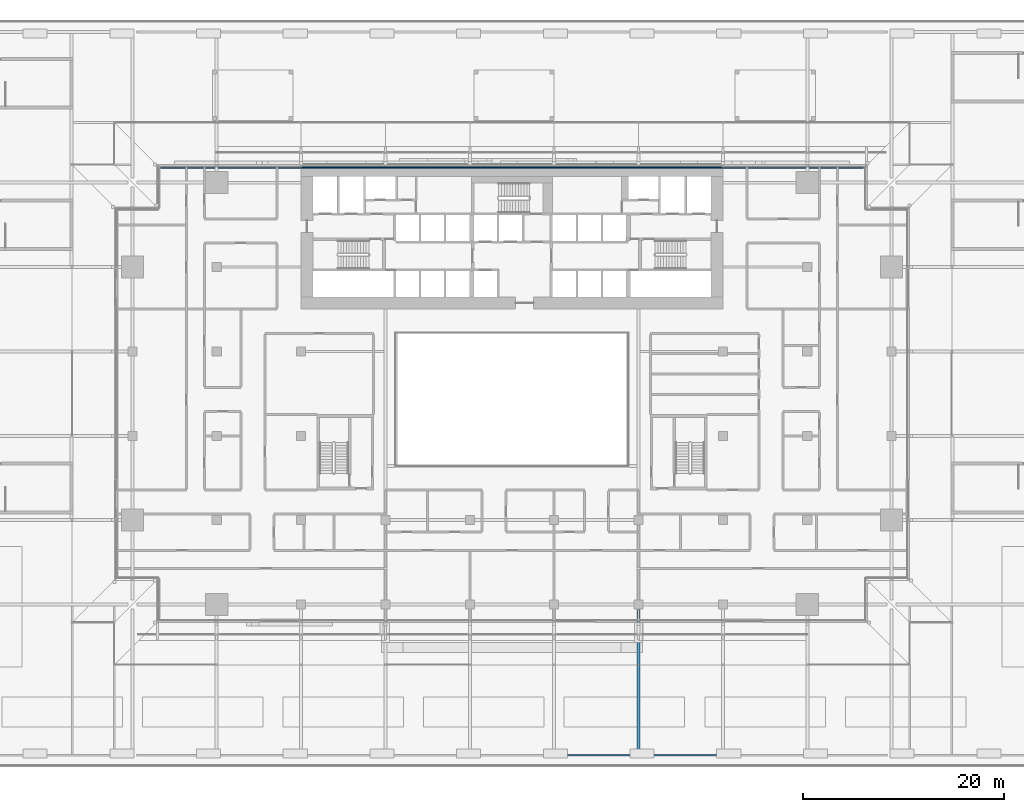
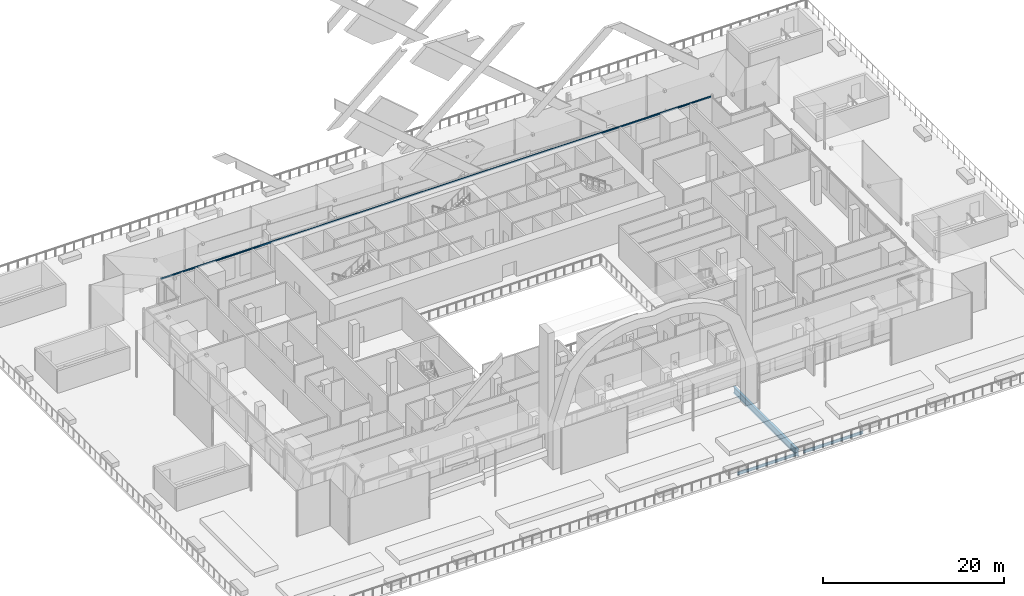
# One storey, part 9 of 60: 3 beams, 1 member, 1 element without a shape of its own.
"""IFC4 building model written with IfcOpenShell, lengths in metres."""

from ifc_helpers import new_model, si_unit, direction, frame, origin, origin_2d, place, context, subcontext, project, spatial, rectangle, i_section, extrude, material, material_profile, profile_set, type_object, element, aggregate, save


model = new_model("IFC4")

# Units and contexts
model_context = context("Model", 3, precision=1e-05, world=origin(), true_north=direction((0.0, 1.0)))
body_context = subcontext(model_context, "Body", "Model", "MODEL_VIEW")
ifc_project = project(units=[si_unit("LENGTHUNIT", "METRE"), si_unit("AREAUNIT", "SQUARE_METRE"), si_unit("VOLUMEUNIT", "CUBIC_METRE"), si_unit("PLANEANGLEUNIT", "RADIAN"), si_unit("MASSUNIT", "GRAM", prefix="KILO")], contexts=[model_context])

# Site, building, storey
site_placement = place(None, origin())
site = spatial("IfcSite", under=ifc_project, at=site_placement, CompositionType="ELEMENT")
building_placement = place(site_placement, origin())
building = spatial("IfcBuilding", under=site, at=building_placement, Name="Saffron Gate Tower", CompositionType="ELEMENT")
storey_placement = place(building_placement, frame((0.0, 0.0, 19.199951171875)))
storey = spatial("IfcBuildingStorey", under=building, at=storey_placement, Name="L03", CompositionType="ELEMENT", Elevation=19.199951171875)

# Beams
ifc_material_1 = material(Name="Structural steel S355", Category="steel")
ifc_material_profile_1 = material_profile(ifc_material_1, i_section(OverallWidth=0.169921875, OverallDepth=0.360107421875, WebThickness=0.008056640625, FlangeThickness=0.0126953125, FilletRadius=0.01806640625, at=origin_2d()))
ifc_profile_set_1 = profile_set([ifc_material_profile_1], Name="Structural steel S355")
beam_type_1 = type_object("IfcBeamType", Name="B1 IPE 360", PredefinedType="BEAM", material=ifc_profile_set_1)
beam_1_placement = place(storey_placement, frame((92.199951171875, 16.800048828125, -0.47998046875), z_axis=(1.0, 0.0, 0.0), x_axis=(0.0, 1.0, 0.0)))
element("IfcBeam", 1, at=beam_1_placement, inside=storey, type_object=beam_type_1, Name="B1 PODIUM EDGE BEAM", PredefinedType="BEAM", context=body_context, shape_type="SweptSolid", body=[
    extrude(i_section(OverallWidth=0.169921875, OverallDepth=0.360107421875, WebThickness=0.008056640625, FlangeThickness=0.0126953125, FilletRadius=0.01806640625, at=origin_2d()), origin(), (0.0, 0.0, 1.0), 7.60009765625),
])
beam_2_placement = place(storey_placement, frame((100.60009765625, 16.800048828125, -0.47998046875), z_axis=(1.0, 0.0, 0.0), x_axis=(0.0, 1.0, 0.0)))
element("IfcBeam", 2, at=beam_2_placement, inside=storey, type_object=beam_type_1, Name="B1 PODIUM EDGE BEAM", PredefinedType="BEAM", context=body_context, shape_type="SweptSolid", body=[
    extrude(i_section(OverallWidth=0.169921875, OverallDepth=0.360107421875, WebThickness=0.008056640625, FlangeThickness=0.0126953125, FilletRadius=0.01806640625, at=origin_2d()), origin(), (0.0, 0.0, 1.0), 7.599853515625),
])
ifc_material_profile_2 = material_profile(ifc_material_1, i_section(OverallWidth=0.300048828125, OverallDepth=0.889892578125, WebThickness=0.01611328125, FlangeThickness=0.030029296875, FilletRadius=0.030029296875, at=origin_2d()))
ifc_profile_set_2 = profile_set([ifc_material_profile_2], Name="Structural steel S355")
beam_type_2 = type_object("IfcBeamType", Name="B19 HEA 900", PredefinedType="BEAM", material=ifc_profile_set_2)
beam_3_placement = place(storey_placement, frame((100.199951171875, 17.199951171875, -0.744873046875), z_axis=(0.0, 1.0, 0.0), x_axis=(-1.0, 0.0, 0.0)))
element("IfcBeam", 3, at=beam_3_placement, inside=storey, type_object=beam_type_2, Name="B19 PODIUM RING GIRDER", PredefinedType="BEAM", context=body_context, shape_type="SweptSolid", body=[
    extrude(i_section(OverallWidth=0.300048828125, OverallDepth=0.889892578125, WebThickness=0.01611328125, FlangeThickness=0.030029296875, FilletRadius=0.030029296875, at=origin_2d()), origin(), (0.0, 0.0, 1.0), 14.150146484375),
])

# Curtain wall, member
ifc_material_2 = material(Name="Aluminium, bronze anodised", Category="aluminium")
curtain_wall_type = type_object("IfcCurtainWallType", Name="CWS6 curtain wall tall storeys", PredefinedType="NOTDEFINED", material=ifc_material_2)
curtain_wall_placement = place(storey_placement, origin())
curtain_wall = element("IfcCurtainWall", 4, at=curtain_wall_placement, inside=storey, type_object=curtain_wall_type, Name="CWS6 run 7", PredefinedType="NOTDEFINED")
ifc_material_profile_3 = material_profile(ifc_material_2, rectangle(XDim=0.1201171875, YDim=0.1201171875, at=origin_2d()))
ifc_profile_set_3 = profile_set([ifc_material_profile_3], Name="Aluminium, bronze anodised")
member_type = type_object("IfcMemberType", Name="CWS6 head transom", PredefinedType="USERDEFINED", material=ifc_profile_set_3)
member_placement = place(storey_placement, frame((122.592041015625, 75.31201171875, 4.14013671875), z_axis=(-1.0, 0.0, 0.0), x_axis=(0.0, -1.0, 0.0)))
member = element("IfcMember", 5, at=member_placement, type_object=member_type, Name="CWS6 head transom", ObjectType="TRANSOM", PredefinedType="USERDEFINED", context=body_context, shape_type="SweptSolid", body=[
    extrude(rectangle(XDim=0.1201171875, YDim=0.1201171875, at=origin_2d()), origin(), (0.0, 0.0, 1.0), 69.984130859375),
])
aggregate(curtain_wall, [member])

save(model, "model.ifc")
